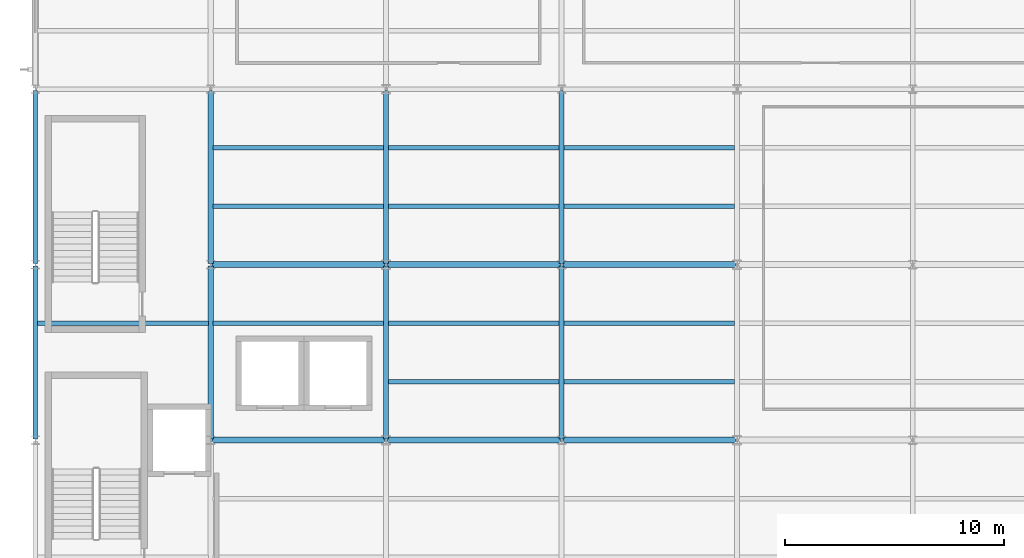
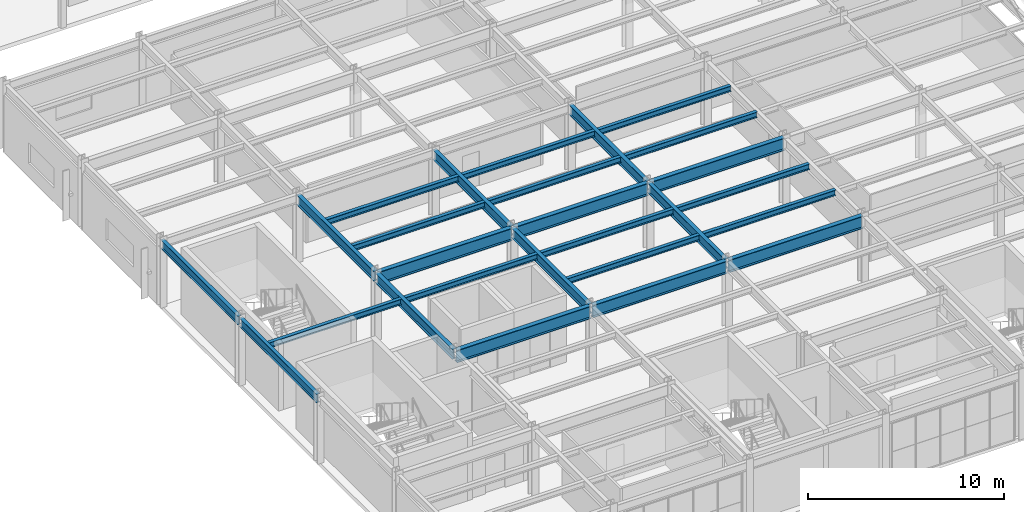
# One storey, part 15 of 83: 26 beams.
"""IFC4 building model written with IfcOpenShell, lengths in metres."""

from ifc_helpers import new_model, si_unit, direction, frame, origin, origin_2d, place, context, subcontext, project, spatial, i_section, extrude, material, material_profile, profile_set, type_object, element, save


model = new_model("IFC4")

# Units and contexts
model_context = context("Model", 3, precision=1e-05, world=origin(), true_north=direction((0.0, 1.0)))
body_context = subcontext(model_context, "Body", "Model", "MODEL_VIEW")
ifc_project = project(units=[si_unit("LENGTHUNIT", "METRE"), si_unit("AREAUNIT", "SQUARE_METRE"), si_unit("VOLUMEUNIT", "CUBIC_METRE"), si_unit("PLANEANGLEUNIT", "RADIAN"), si_unit("MASSUNIT", "GRAM", prefix="KILO")], contexts=[model_context])

# Site, building, storey
site_placement = place(None, origin())
site = spatial("IfcSite", under=ifc_project, at=site_placement, CompositionType="ELEMENT")
building_placement = place(site_placement, origin())
building = spatial("IfcBuilding", under=site, at=building_placement, Name="Drelvath Fold Interchange", CompositionType="ELEMENT")
storey_placement = place(building_placement, frame((0.0, 0.0, 11.199951171875)))
storey = spatial("IfcBuildingStorey", under=building, at=storey_placement, Name="L02", CompositionType="ELEMENT", Elevation=11.199951171875)

# Beams
ifc_material = material(Name="Steel ASTM A992 Grade 50", Category="steel")
ifc_material_profile_1 = material_profile(ifc_material, i_section(OverallWidth=0.205078125, OverallDepth=0.35400390625, WebThickness=0.009521484375, FlangeThickness=0.016845703125, at=origin_2d()), Name="W14X53")
ifc_profile_set_1 = profile_set([ifc_material_profile_1], Name="Steel ASTM A992 Grade 50")
beam_type_1 = type_object("IfcBeamType", Name="BM-W14X53", PredefinedType="JOIST", material=ifc_profile_set_1)
beam_placement = place(storey_placement, frame((4.10302734375, 24.3330078125, 3.9931640625), z_axis=(1.0, 0.0, 0.0), x_axis=(0.0, 1.0, 0.0)))
element("IfcBeam", 1, at=beam_placement, inside=storey, type_object=beam_type_1, Name="L02 Secondary floor joist BM-W14X53", PredefinedType="JOIST", context=body_context, shape_type="SweptSolid", body=[
    extrude(i_section(OverallWidth=0.205078125, OverallDepth=0.35400390625, WebThickness=0.009521484375, FlangeThickness=0.016845703125, at=origin_2d()), origin(), (0.0, 0.0, 1.0), 7.783935546875),
])
for number, where, z_axis, x_axis, name in (
    (2, (12.113037109375, 24.3330078125, 3.9931640625), (1.0, 0.0, 0.0), (0.0, 1.0, 0.0), "L02 Secondary floor joist BM-W14X53"),
    (3, (12.113037109375, 29.6669921875, 3.9931640625), (1.0, 0.0, 0.0), (0.0, 1.0, 0.0), "L02 Secondary floor joist BM-W14X53"),
    (4, (12.113037109375, 32.3330078125, 3.9931640625), (1.0, 0.0, 0.0), (0.0, 1.0, 0.0), "L02 Secondary floor joist BM-W14X53"),
    (5, (20.113037109375, 21.6669921875, 3.9931640625), (1.0, 0.0, 0.0), (0.0, 1.0, 0.0), "L02 Secondary floor joist BM-W14X53"),
    (6, (20.113037109375, 24.3330078125, 3.9931640625), (1.0, 0.0, 0.0), (0.0, 1.0, 0.0), "L02 Secondary floor joist BM-W14X53"),
    (7, (20.113037109375, 29.6669921875, 3.9931640625), (1.0, 0.0, 0.0), (0.0, 1.0, 0.0), "L02 Secondary floor joist BM-W14X53"),
    (8, (20.113037109375, 32.3330078125, 3.9931640625), (1.0, 0.0, 0.0), (0.0, 1.0, 0.0), "L02 Secondary floor joist BM-W14X53"),
    (9, (28.113037109375, 21.6669921875, 3.9931640625), (1.0, 0.0, 0.0), (0.0, 1.0, 0.0), "L02 Secondary floor joist BM-W14X53"),
    (10, (28.113037109375, 24.3330078125, 3.9931640625), (1.0, 0.0, 0.0), (0.0, 1.0, 0.0), "L02 Secondary floor joist BM-W14X53"),
    (11, (28.113037109375, 29.6669921875, 3.9931640625), (1.0, 0.0, 0.0), (0.0, 1.0, 0.0), "L02 Secondary floor joist BM-W14X53"),
    (12, (28.113037109375, 32.3330078125, 3.9931640625), (1.0, 0.0, 0.0), (0.0, 1.0, 0.0), "L02 Secondary floor joist BM-W14X53"),
):
    element("IfcBeam", number, at=place(storey_placement, frame(where, z_axis=z_axis, x_axis=x_axis)), inside=storey, type_object=beam_type_1, Name=name, PredefinedType="JOIST", context=body_context, shape_type="SweptSolid", body=[
        extrude(i_section(OverallWidth=0.205078125, OverallDepth=0.35400390625, WebThickness=0.009521484375, FlangeThickness=0.016845703125, at=origin_2d()), origin(), (0.0, 0.0, 1.0), 7.77392578125),
    ])
ifc_material_profile_2 = material_profile(ifc_material, i_section(OverallWidth=0.2099609375, OverallDepth=0.537109375, WebThickness=0.010986328125, FlangeThickness=0.017333984375, at=origin_2d()), Name="W21X68")
ifc_profile_set_2 = profile_set([ifc_material_profile_2], Name="Steel ASTM A992 Grade 50")
beam_type_2 = type_object("IfcBeamType", Name="BM-W21X68", PredefinedType="SPANDREL", material=ifc_profile_set_2)
for number, where, z_axis, x_axis, name in (
    (13, (4.0, 19.06005859375, 3.901123046875), (0.0, 1.0, 0.0), (-1.0, 0.0, 0.0), "L02 Primary Y girder BM-W21X68"),
    (14, (4.0, 27.06005859375, 3.901123046875), (0.0, 1.0, 0.0), (-1.0, 0.0, 0.0), "L02 Primary Y girder BM-W21X68"),
):
    element("IfcBeam", number, at=place(storey_placement, frame(where, z_axis=z_axis, x_axis=x_axis)), inside=storey, type_object=beam_type_2, Name=name, PredefinedType="SPANDREL", context=body_context, shape_type="SweptSolid", body=[
        extrude(i_section(OverallWidth=0.2099609375, OverallDepth=0.537109375, WebThickness=0.010986328125, FlangeThickness=0.017333984375, at=origin_2d()), origin(), (0.0, 0.0, 1.0), 7.8798828125),
    ])
ifc_material_profile_3 = material_profile(ifc_material, i_section(OverallWidth=0.22998046875, OverallDepth=0.616943359375, WebThickness=0.01318359375, FlangeThickness=0.022216796875, at=origin_2d()), Name="W24X94")
ifc_profile_set_3 = profile_set([ifc_material_profile_3], Name="Steel ASTM A992 Grade 50")
beam_type_3 = type_object("IfcBeamType", Name="BM-W24X94", PredefinedType="BEAM", material=ifc_profile_set_3)
for number, where, z_axis, x_axis, name in (
    (15, (12.0, 19.06005859375, 3.861083984375), (0.0, 1.0, 0.0), (-1.0, 0.0, 0.0), "L02 Primary Y girder BM-W24X94"),
    (16, (12.0, 27.06005859375, 3.861083984375), (0.0, 1.0, 0.0), (-1.0, 0.0, 0.0), "L02 Primary Y girder BM-W24X94"),
    (17, (20.0, 19.06005859375, 3.861083984375), (0.0, 1.0, 0.0), (-1.0, 0.0, 0.0), "L02 Primary Y girder BM-W24X94"),
    (18, (20.0, 27.06005859375, 3.861083984375), (0.0, 1.0, 0.0), (-1.0, 0.0, 0.0), "L02 Primary Y girder BM-W24X94"),
    (19, (28.0, 19.06005859375, 3.861083984375), (0.0, 1.0, 0.0), (-1.0, 0.0, 0.0), "L02 Primary Y girder BM-W24X94"),
    (20, (28.0, 27.06005859375, 3.861083984375), (0.0, 1.0, 0.0), (-1.0, 0.0, 0.0), "L02 Primary Y girder BM-W24X94"),
):
    element("IfcBeam", number, at=place(storey_placement, frame(where, z_axis=z_axis, x_axis=x_axis)), inside=storey, type_object=beam_type_3, Name=name, PredefinedType="BEAM", context=body_context, shape_type="SweptSolid", body=[
        extrude(i_section(OverallWidth=0.22998046875, OverallDepth=0.616943359375, WebThickness=0.01318359375, FlangeThickness=0.022216796875, at=origin_2d()), origin(), (0.0, 0.0, 1.0), 7.8798828125),
    ])
ifc_material_profile_4 = material_profile(ifc_material, i_section(OverallWidth=0.26611328125, OverallDepth=0.779052734375, WebThickness=0.0166015625, FlangeThickness=0.030029296875, at=origin_2d()), Name="W30X148")
ifc_profile_set_4 = profile_set([ifc_material_profile_4], Name="Steel ASTM A992 Grade 50")
beam_type_4 = type_object("IfcBeamType", Name="BM-W30X148", PredefinedType="BEAM", material=ifc_profile_set_4)
for number, where, z_axis, x_axis, name in (
    (21, (12.06005859375, 19.0, 3.780029296875), (1.0, 0.0, 0.0), (0.0, 1.0, 0.0), "L02 Primary X girder BM-W30X148"),
    (22, (20.06005859375, 19.0, 3.780029296875), (1.0, 0.0, 0.0), (0.0, 1.0, 0.0), "L02 Primary X girder BM-W30X148"),
    (23, (28.06005859375, 19.0, 3.780029296875), (1.0, 0.0, 0.0), (0.0, 1.0, 0.0), "L02 Primary X girder BM-W30X148"),
    (24, (12.06005859375, 27.0, 3.780029296875), (1.0, 0.0, 0.0), (0.0, 1.0, 0.0), "L02 Primary X girder BM-W30X148"),
    (25, (20.06005859375, 27.0, 3.780029296875), (1.0, 0.0, 0.0), (0.0, 1.0, 0.0), "L02 Primary X girder BM-W30X148"),
    (26, (28.06005859375, 27.0, 3.780029296875), (1.0, 0.0, 0.0), (0.0, 1.0, 0.0), "L02 Primary X girder BM-W30X148"),
):
    element("IfcBeam", number, at=place(storey_placement, frame(where, z_axis=z_axis, x_axis=x_axis)), inside=storey, type_object=beam_type_4, Name=name, PredefinedType="BEAM", context=body_context, shape_type="SweptSolid", body=[
        extrude(i_section(OverallWidth=0.26611328125, OverallDepth=0.779052734375, WebThickness=0.0166015625, FlangeThickness=0.030029296875, at=origin_2d()), origin(), (0.0, 0.0, 1.0), 7.8798828125),
    ])

save(model, "model.ifc")
